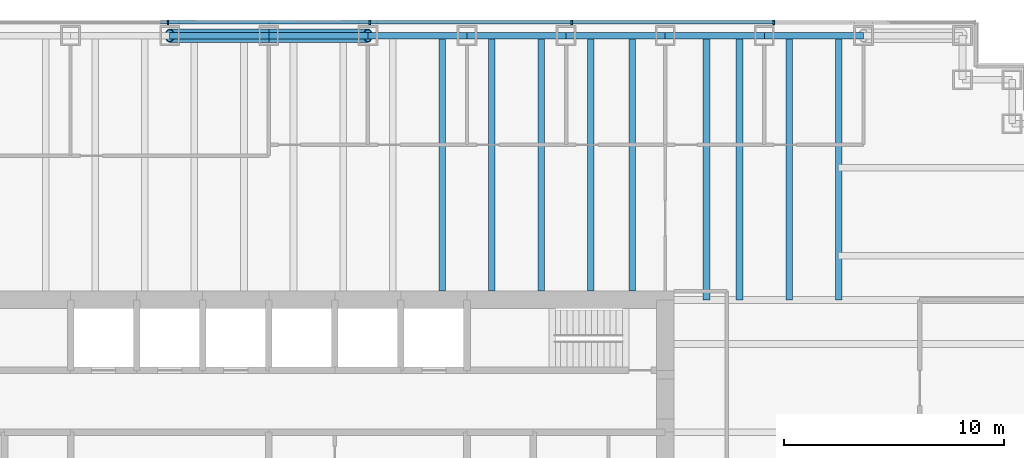
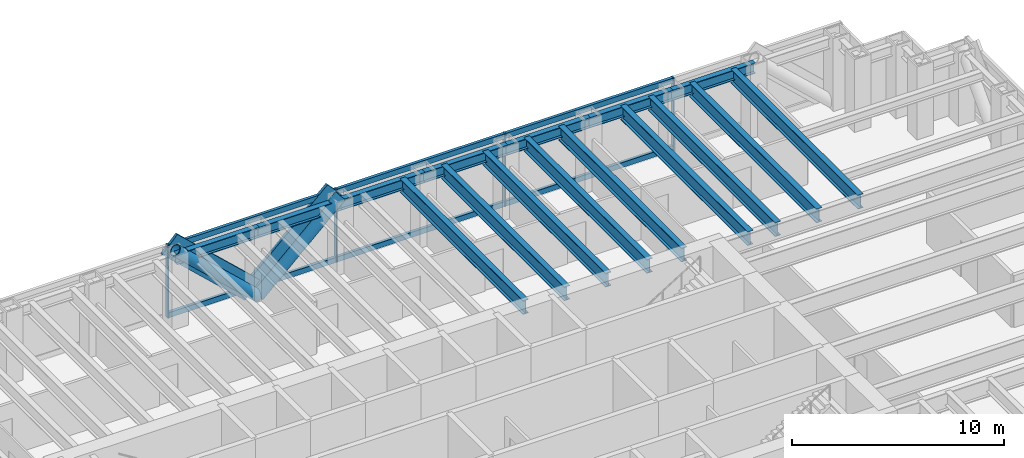
# One storey, part 6 of 15: 16 beams, 14 members, 1 element without a shape of its own.
"""IFC4 building model written with IfcOpenShell, lengths in metres."""

from ifc_helpers import new_model, si_unit, direction, frame, origin, origin_2d, place, context, subcontext, project, spatial, rectangle, hollow_circle, i_section, extrude, material, material_profile, profile_set, type_object, element, aggregate, save


model = new_model("IFC4")

# Units and contexts
model_context = context("Model", 3, precision=1e-05, world=origin(), true_north=direction((0.0, 1.0)))
body_context = subcontext(model_context, "Body", "Model", "MODEL_VIEW")
ifc_project = project(units=[si_unit("LENGTHUNIT", "METRE"), si_unit("AREAUNIT", "SQUARE_METRE"), si_unit("VOLUMEUNIT", "CUBIC_METRE"), si_unit("PLANEANGLEUNIT", "RADIAN"), si_unit("MASSUNIT", "GRAM", prefix="KILO")], contexts=[model_context])

# Site, building, storey
site_placement = place(None, origin())
site = spatial("IfcSite", under=ifc_project, at=site_placement, CompositionType="ELEMENT")
building_placement = place(site_placement, origin())
building = spatial("IfcBuilding", under=site, at=building_placement, Name="Rheinbord Bourse Tower", CompositionType="ELEMENT")
storey_placement = place(building_placement, frame((0.0, 0.0, 215.199951171875)))
storey = spatial("IfcBuildingStorey", under=building, at=storey_placement, Name="L48", CompositionType="ELEMENT", Elevation=215.199951171875)

# Curtain wall, members
ifc_material_1 = material(Name="Dark glass and black aluminium", Category="aluminium")
curtain_wall_type = type_object("IfcCurtainWallType", Name="CW2 DARK GLASS CURTAIN WALL", PredefinedType="USERDEFINED", material=ifc_material_1)
curtain_wall_placement = place(storey_placement, origin())
curtain_wall = element("IfcCurtainWall", 1, at=curtain_wall_placement, inside=storey, type_object=curtain_wall_type, Name="Curtain wall CW2 N L48", ObjectType="UNITISED CURTAIN WALL", PredefinedType="USERDEFINED")
ifc_material_2 = material(Name="Black anodised aluminium", Category="aluminium")
ifc_material_profile_1 = material_profile(ifc_material_2, rectangle(XDim=0.159912109375, YDim=1.2099609375, at=origin_2d()), Name="CW2 DIAGONAL MULLION 1210x160")
ifc_profile_set_1 = profile_set([ifc_material_profile_1], Name="Black anodised aluminium")
member_type_1 = type_object("IfcMemberType", Name="CW2 BLACK DIAGONAL MULLION", PredefinedType="USERDEFINED", material=ifc_profile_set_1)
member_1_placement = place(storey_placement, frame((36.0, 44.60009765625, 0.0), z_axis=(-0.73105922506, 0.0, 0.682314010889), x_axis=(0.0, -1.0, 0.0)))
member_1 = element("IfcMember", 2, at=member_1_placement, type_object=member_type_1, Name="CW2 diagonal mullion a", ObjectType="DIAGONAL MULLION", PredefinedType="USERDEFINED", context=body_context, shape_type="SweptSolid", body=[
    extrude(rectangle(XDim=0.159912109375, YDim=1.2099609375, at=origin_2d()), origin(), (0.0, 0.0, 1.0), 6.155517578125),
])
member_2_placement = place(storey_placement, frame((36.0, 44.60009765625, 0.0), z_axis=(0.73105922506, 0.0, 0.682314010889), x_axis=(0.0, 1.0, 0.0)))
member_2 = element("IfcMember", 3, at=member_2_placement, type_object=member_type_1, Name="CW2 diagonal mullion b", ObjectType="DIAGONAL MULLION", PredefinedType="USERDEFINED", context=body_context, shape_type="SweptSolid", body=[
    extrude(rectangle(XDim=0.159912109375, YDim=1.2099609375, at=origin_2d()), origin(), (0.0, 0.0, 1.0), 6.155517578125),
])
ifc_material_3 = material(Name="Black anodised aluminium", Category="aluminium")
ifc_material_profile_2 = material_profile(ifc_material_3, rectangle(XDim=0.219970703125, YDim=0.070068359375, at=origin_2d()), Name="CW2 MULLION 70x220")
ifc_profile_set_2 = profile_set([ifc_material_profile_2], Name="Black anodised aluminium")
member_type_2 = type_object("IfcMemberType", Name="CW2 BLACK MULLION", PredefinedType="MULLION", material=ifc_profile_set_2)
member_3_placement = place(storey_placement, frame((58.928466796875, 44.60009765625, 0.0), z_axis=(0.0, 0.0, 1.0), x_axis=(0.0, -1.0, 0.0)))
member_3 = element("IfcMember", 4, at=member_3_placement, type_object=member_type_2, Name="CW2 mullion 2", PredefinedType="MULLION", context=body_context, shape_type="SweptSolid", body=[
    extrude(rectangle(XDim=0.219970703125, YDim=0.070068359375, at=origin_2d()), origin(), (0.0, 0.0, 1.0), 4.199951171875),
])
member_4_placement = place(storey_placement, frame((49.757080078125, 44.60009765625, 0.0), z_axis=(0.0, 0.0, 1.0), x_axis=(0.0, -1.0, 0.0)))
member_4 = element("IfcMember", 5, at=member_4_placement, type_object=member_type_2, Name="CW2 mullion 3", PredefinedType="MULLION", context=body_context, shape_type="SweptSolid", body=[
    extrude(rectangle(XDim=0.219970703125, YDim=0.070068359375, at=origin_2d()), origin(), (0.0, 0.0, 1.0), 4.199951171875),
])
member_5_placement = place(storey_placement, frame((40.585693359375, 44.60009765625, 0.0), z_axis=(0.0, 0.0, 1.0), x_axis=(0.0, -1.0, 0.0)))
member_5 = element("IfcMember", 6, at=member_5_placement, type_object=member_type_2, Name="CW2 mullion 4", PredefinedType="MULLION", context=body_context, shape_type="SweptSolid", body=[
    extrude(rectangle(XDim=0.219970703125, YDim=0.070068359375, at=origin_2d()), origin(), (0.0, 0.0, 1.0), 4.199951171875),
])
member_6_placement = place(storey_placement, frame((31.414306640625, 44.60009765625, 0.0), z_axis=(0.0, 0.0, 1.0), x_axis=(0.0, -1.0, 0.0)))
member_6 = element("IfcMember", 7, at=member_6_placement, type_object=member_type_2, Name="CW2 mullion 5", PredefinedType="MULLION", context=body_context, shape_type="SweptSolid", body=[
    extrude(rectangle(XDim=0.219970703125, YDim=0.070068359375, at=origin_2d()), origin(), (0.0, 0.0, 1.0), 4.199951171875),
])
ifc_material_4 = material(Name="Black anodised aluminium", Category="aluminium")
ifc_material_profile_3 = material_profile(ifc_material_4, rectangle(XDim=0.159912109375, YDim=0.300048828125, at=origin_2d()), Name="CW2 TRANSOM 300x160")
ifc_profile_set_3 = profile_set([ifc_material_profile_3], Name="Black anodised aluminium")
member_type_3 = type_object("IfcMemberType", Name="CW2 BLACK TRANSOM", PredefinedType="USERDEFINED", material=ifc_profile_set_3)
member_7_placement = place(storey_placement, frame((58.8935546875, 44.60009765625, 0.150146484375), z_axis=(-1.0, 0.0, 0.0), x_axis=(0.0, -1.0, 0.0)))
member_7 = element("IfcMember", 8, at=member_7_placement, type_object=member_type_3, Name="CW2 transom 2.1", ObjectType="TRANSOM", PredefinedType="USERDEFINED", context=body_context, shape_type="SweptSolid", body=[
    extrude(rectangle(XDim=0.159912109375, YDim=0.300048828125, at=origin_2d()), origin(), (0.0, 0.0, 1.0), 9.101318359375),
])
member_8_placement = place(storey_placement, frame((58.8935546875, 44.60009765625, 4.050048828125), z_axis=(-1.0, 0.0, 0.0), x_axis=(0.0, -1.0, 0.0)))
member_8 = element("IfcMember", 9, at=member_8_placement, type_object=member_type_3, Name="CW2 transom 2.2", ObjectType="TRANSOM", PredefinedType="USERDEFINED", context=body_context, shape_type="SweptSolid", body=[
    extrude(rectangle(XDim=0.159912109375, YDim=0.300048828125, at=origin_2d()), origin(), (0.0, 0.0, 1.0), 9.101318359375),
])
member_9_placement = place(storey_placement, frame((49.72216796875, 44.60009765625, 0.150146484375), z_axis=(-1.0, 0.0, 0.0), x_axis=(0.0, -1.0, 0.0)))
member_9 = element("IfcMember", 10, at=member_9_placement, type_object=member_type_3, Name="CW2 transom 3.1", ObjectType="TRANSOM", PredefinedType="USERDEFINED", context=body_context, shape_type="SweptSolid", body=[
    extrude(rectangle(XDim=0.159912109375, YDim=0.300048828125, at=origin_2d()), origin(), (0.0, 0.0, 1.0), 9.1015625),
])
member_10_placement = place(storey_placement, frame((49.72216796875, 44.60009765625, 4.050048828125), z_axis=(-1.0, 0.0, 0.0), x_axis=(0.0, -1.0, 0.0)))
member_10 = element("IfcMember", 11, at=member_10_placement, type_object=member_type_3, Name="CW2 transom 3.2", ObjectType="TRANSOM", PredefinedType="USERDEFINED", context=body_context, shape_type="SweptSolid", body=[
    extrude(rectangle(XDim=0.159912109375, YDim=0.300048828125, at=origin_2d()), origin(), (0.0, 0.0, 1.0), 9.1015625),
])
member_11_placement = place(storey_placement, frame((40.55078125, 44.60009765625, 0.150146484375), z_axis=(-1.0, 0.0, 0.0), x_axis=(0.0, -1.0, 0.0)))
member_11 = element("IfcMember", 12, at=member_11_placement, type_object=member_type_3, Name="CW2 transom 4.1", ObjectType="TRANSOM", PredefinedType="USERDEFINED", context=body_context, shape_type="SweptSolid", body=[
    extrude(rectangle(XDim=0.159912109375, YDim=0.300048828125, at=origin_2d()), origin(), (0.0, 0.0, 1.0), 9.1015625),
])
member_12_placement = place(storey_placement, frame((40.55078125, 44.60009765625, 4.050048828125), z_axis=(-1.0, 0.0, 0.0), x_axis=(0.0, -1.0, 0.0)))
member_12 = element("IfcMember", 13, at=member_12_placement, type_object=member_type_3, Name="CW2 transom 4.2", ObjectType="TRANSOM", PredefinedType="USERDEFINED", context=body_context, shape_type="SweptSolid", body=[
    extrude(rectangle(XDim=0.159912109375, YDim=0.300048828125, at=origin_2d()), origin(), (0.0, 0.0, 1.0), 9.1015625),
])
aggregate(curtain_wall, [member_3, member_4, member_5, member_6, member_7, member_8, member_9, member_10, member_11, member_12, member_1, member_2])

# Beams
ifc_material_5 = material(Name="Steel S460", Category="steel")
ifc_material_profile_4 = material_profile(ifc_material_5, i_section(OverallWidth=0.300048828125, OverallDepth=0.800048828125, WebThickness=0.017578125, FlangeThickness=0.032958984375, at=origin_2d()), Name="HEB 800")
ifc_profile_set_4 = profile_set([ifc_material_profile_4], Name="Steel S460")
beam_type_1 = type_object("IfcBeamType", Name="FLOOR BEAM HEB 800", PredefinedType="BEAM", material=ifc_profile_set_4)
for number, where, z_axis, x_axis, name in (
    (14, (43.875, 44.0, 3.64013671875), (0.0, -1.0, 0.0), (1.0, 0.0, 0.0), "Floor beam N-40.5b L49"),
    (15, (46.125, 44.0, 3.64013671875), (0.0, -1.0, 0.0), (1.0, 0.0, 0.0), "Floor beam N-45a L49"),
    (16, (48.375, 44.0, 3.64013671875), (0.0, -1.0, 0.0), (1.0, 0.0, 0.0), "Floor beam N-45b L49"),
    (17, (50.625, 44.0, 3.64013671875), (0.0, -1.0, 0.0), (1.0, 0.0, 0.0), "Floor beam N-49.5a L49"),
    (18, (52.5, 44.0, 3.64013671875), (0.0, -1.0, 0.0), (1.0, 0.0, 0.0), "Floor beam N-49.5b L49"),
):
    element("IfcBeam", number, at=place(storey_placement, frame(where, z_axis=z_axis, x_axis=x_axis)), inside=storey, type_object=beam_type_1, Name=name, PredefinedType="BEAM", context=body_context, shape_type="SweptSolid", body=[
        extrude(i_section(OverallWidth=0.300048828125, OverallDepth=0.800048828125, WebThickness=0.017578125, FlangeThickness=0.032958984375, at=origin_2d()), origin(), (0.0, 0.0, 1.0), 11.60009765625),
    ])
for number, where, z_axis, x_axis, name in (
    (19, (55.875, 44.0, 3.64013671875), (0.0, -1.0, 0.0), (1.0, 0.0, 0.0), "Floor beam N-54a L49"),
    (20, (57.375, 44.0, 3.64013671875), (0.0, -1.0, 0.0), (1.0, 0.0, 0.0), "Floor beam N-54b L49"),
    (21, (59.625, 44.0, 3.64013671875), (0.0, -1.0, 0.0), (1.0, 0.0, 0.0), "Floor beam N-58.5a L49"),
    (22, (61.875, 44.0, 3.64013671875), (0.0, -1.0, 0.0), (1.0, 0.0, 0.0), "Floor beam N-58.5b L49"),
):
    element("IfcBeam", number, at=place(storey_placement, frame(where, z_axis=z_axis, x_axis=x_axis)), inside=storey, type_object=beam_type_1, Name=name, PredefinedType="BEAM", context=body_context, shape_type="SweptSolid", body=[
        extrude(i_section(OverallWidth=0.300048828125, OverallDepth=0.800048828125, WebThickness=0.017578125, FlangeThickness=0.032958984375, at=origin_2d()), origin(), (0.0, 0.0, 1.0), 12.0),
    ])

# Members
ifc_material_6 = material(Name="Steel S460", Category="steel")
ifc_material_profile_5 = material_profile(ifc_material_6, hollow_circle(Radius=0.304931640625, WallThickness=0.0400390625, at=origin_2d()), Name="CHS 610x40")
ifc_profile_set_5 = profile_set([ifc_material_profile_5], Name="Steel S460")
member_type_4 = type_object("IfcMemberType", Name="MEGABRACE CHS 610x40", PredefinedType="BRACE", material=ifc_profile_set_5)
for number, where, z_axis, x_axis, name in (
    (23, (36.0, 44.0, 0.0), (-0.73105922506, 0.0, 0.682314010889), (0.0, -1.0, 0.0), "Megabrace N face line a L48"),
    (24, (36.0, 44.0, 0.0), (0.73105922506, 0.0, 0.682314010889), (0.0, 1.0, 0.0), "Megabrace N face line b L48"),
):
    element("IfcMember", number, at=place(storey_placement, frame(where, z_axis=z_axis, x_axis=x_axis)), inside=storey, type_object=member_type_4, Name=name, PredefinedType="BRACE", context=body_context, shape_type="SweptSolid", body=[
        extrude(hollow_circle(Radius=0.304931640625, WallThickness=0.0400390625, at=origin_2d()), origin(), (0.0, 0.0, 1.0), 6.155517578125),
    ])

# Beams
ifc_material_7 = material(Name="Steel S460", Category="steel")
ifc_material_profile_6 = material_profile(ifc_material_7, i_section(OverallWidth=0.300048828125, OverallDepth=0.60009765625, WebThickness=0.015380859375, FlangeThickness=0.030029296875, at=origin_2d()), Name="HEB 600")
ifc_profile_set_6 = profile_set([ifc_material_profile_6], Name="Steel S460")
beam_type_2 = type_object("IfcBeamType", Name="SPANDREL HEB 600", PredefinedType="SPANDREL", material=ifc_profile_set_6)
for number, where, z_axis, x_axis, name in (
    (25, (63.0, 44.0, 3.739990234375), (-1.0, 0.0, 0.0), (0.0, -1.0, 0.0), "Spandrel N-63-N-58.5 under L49"),
    (26, (58.5, 44.0, 3.739990234375), (-1.0, 0.0, 0.0), (0.0, -1.0, 0.0), "Spandrel N-58.5-N-54 under L49"),
    (27, (54.0, 44.0, 3.739990234375), (-1.0, 0.0, 0.0), (0.0, -1.0, 0.0), "Spandrel N-54-N-49.5 under L49"),
    (28, (49.5, 44.0, 3.739990234375), (-1.0, 0.0, 0.0), (0.0, -1.0, 0.0), "Spandrel N-49.5-N-45 under L49"),
    (29, (45.0, 44.0, 3.739990234375), (-1.0, 0.0, 0.0), (0.0, -1.0, 0.0), "Spandrel N-45-N-40.5 under L49"),
    (30, (40.5, 44.0, 3.739990234375), (-1.0, 0.0, 0.0), (0.0, -1.0, 0.0), "Spandrel N-40.5-N-36 under L49"),
    (31, (36.0, 44.0, 3.739990234375), (-1.0, 0.0, 0.0), (0.0, -1.0, 0.0), "Spandrel N-36-N-31.5 under L49"),
):
    element("IfcBeam", number, at=place(storey_placement, frame(where, z_axis=z_axis, x_axis=x_axis)), inside=storey, type_object=beam_type_2, Name=name, PredefinedType="SPANDREL", context=body_context, shape_type="SweptSolid", body=[
        extrude(i_section(OverallWidth=0.300048828125, OverallDepth=0.60009765625, WebThickness=0.015380859375, FlangeThickness=0.030029296875, at=origin_2d()), origin(), (0.0, 0.0, 1.0), 4.5),
    ])

save(model, "model.ifc")
